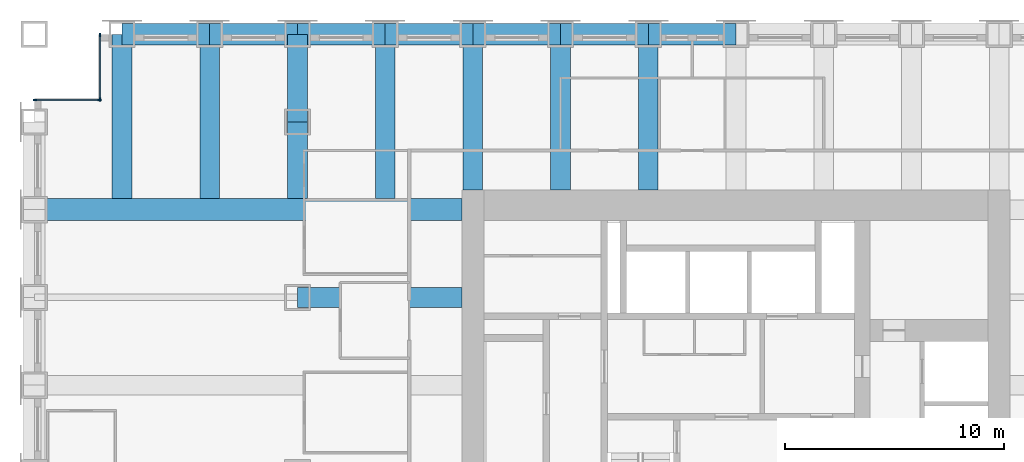
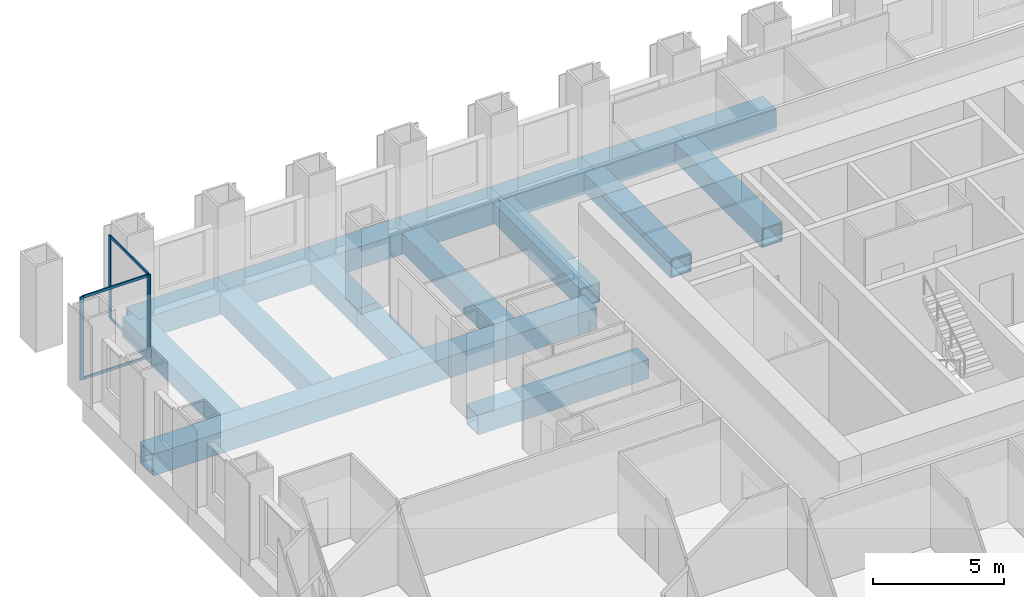
# One storey, part 6 of 15: 17 beams, 8 members, 2 elements without a shape of their own.
"""IFC4 building model written with IfcOpenShell, lengths in metres."""

from ifc_helpers import new_model, si_unit, direction, frame, origin, origin_2d, place, context, subcontext, project, spatial, rectangle, hollow_rectangle, extrude, material, material_profile, profile_set, type_object, element, aggregate, save


model = new_model("IFC4")

# Units and contexts
model_context = context("Model", 3, precision=1e-05, world=origin(), true_north=direction((0.0, 1.0)))
body_context = subcontext(model_context, "Body", "Model", "MODEL_VIEW")
ifc_project = project(units=[si_unit("LENGTHUNIT", "METRE"), si_unit("AREAUNIT", "SQUARE_METRE"), si_unit("VOLUMEUNIT", "CUBIC_METRE"), si_unit("PLANEANGLEUNIT", "RADIAN"), si_unit("MASSUNIT", "GRAM", prefix="KILO")], contexts=[model_context])

# Site, building, storey
site_placement = place(None, origin())
site = spatial("IfcSite", under=ifc_project, at=site_placement, CompositionType="ELEMENT")
building_placement = place(site_placement, origin())
building = spatial("IfcBuilding", under=site, at=building_placement, Name="Rimbunsela Tower", CompositionType="ELEMENT")
storey_placement = place(building_placement, frame((0.0, 0.0, 35.0)))
storey = spatial("IfcBuildingStorey", under=building, at=storey_placement, Name="L08", CompositionType="ELEMENT", Elevation=35.0)

# Beams
ifc_material_1 = material(Name="Steel BJ 55 (fy 410 MPa)", Category="steel")
ifc_material_profile_1 = material_profile(ifc_material_1, hollow_rectangle(XDim=1.0, YDim=1.0, WallThickness=0.10009765625, at=origin_2d()), Name="BOX 1000x1000x100")
ifc_profile_set_1 = profile_set([ifc_material_profile_1], Name="Steel BJ 55 (fy 410 MPa)")
beam_type_1 = type_object("IfcBeamType", Name="Beam BOX 1000x1000x100", PredefinedType="BEAM", material=ifc_profile_set_1)
beam_1_placement = place(storey_placement, frame((-2.0, 36.0, -0.64990234375), z_axis=(1.0, 0.0, 0.0), x_axis=(0.0, 1.0, 0.0)))
element("IfcBeam", 1, at=beam_1_placement, inside=storey, type_object=beam_type_1, Name="Beam B3 L08", PredefinedType="BEAM", context=body_context, shape_type="SweptSolid", body=[
    extrude(hollow_rectangle(XDim=1.0, YDim=1.0, WallThickness=0.10009765625, at=origin_2d()), origin(), (0.0, 0.0, 1.0), 19.5),
])
for number, where, z_axis, x_axis, name in (
    (2, (2.0, 44.0, -0.64990234375), (1.0, 0.0, 0.0), (0.0, 1.0, 0.0), "Beam B3 L08"),
    (3, (6.0, 44.0, -0.64990234375), (1.0, 0.0, 0.0), (0.0, 1.0, 0.0), "Beam B3 L08"),
    (4, (10.0, 44.0, -0.64990234375), (1.0, 0.0, 0.0), (0.0, 1.0, 0.0), "Beam B3 L08"),
    (5, (14.0, 44.0, -0.64990234375), (1.0, 0.0, 0.0), (0.0, 1.0, 0.0), "Beam B3 L08"),
    (6, (18.0, 44.0, -0.64990234375), (1.0, 0.0, 0.0), (0.0, 1.0, 0.0), "Beam B3 L08"),
    (7, (22.0, 44.0, -0.64990234375), (1.0, 0.0, 0.0), (0.0, 1.0, 0.0), "Beam B3 L08"),
    (8, (26.0, 44.0, -0.64990234375), (1.0, 0.0, 0.0), (0.0, 1.0, 0.0), "Beam B3 L08"),
):
    element("IfcBeam", number, at=place(storey_placement, frame(where, z_axis=z_axis, x_axis=x_axis)), inside=storey, type_object=beam_type_1, Name=name, PredefinedType="BEAM", context=body_context, shape_type="SweptSolid", body=[
        extrude(hollow_rectangle(XDim=1.0, YDim=1.0, WallThickness=0.10009765625, at=origin_2d()), origin(), (0.0, 0.0, 1.0), 4.0),
    ])
ifc_material_2 = material(Name="Steel BJ 55 (fy 410 MPa)", Category="steel")
ifc_material_profile_2 = material_profile(ifc_material_2, hollow_rectangle(XDim=0.89990234375, YDim=0.89990234375, WallThickness=0.06005859375, at=origin_2d()), Name="BOX 900x900x60")
ifc_profile_set_2 = profile_set([ifc_material_profile_2], Name="Steel BJ 55 (fy 410 MPa)")
beam_type_2 = type_object("IfcBeamType", Name="Beam BOX 900x900x60", PredefinedType="BEAM", material=ifc_profile_set_2)
for number, where, z_axis, x_axis, name in (
    (9, (2.0, 36.5, -0.60009765625), (0.0, 1.0, 0.0), (-1.0, 0.0, 0.0), "Beam B1 L08"),
    (10, (6.0, 36.5, -0.60009765625), (0.0, 1.0, 0.0), (-1.0, 0.0, 0.0), "Beam B1 L08"),
    (11, (10.0, 32.0, -0.60009765625), (1.0, 0.0, 0.0), (0.0, 1.0, 0.0), "Beam B1 L08"),
):
    element("IfcBeam", number, at=place(storey_placement, frame(where, z_axis=z_axis, x_axis=x_axis)), inside=storey, type_object=beam_type_2, Name=name, PredefinedType="BEAM", context=body_context, shape_type="SweptSolid", body=[
        extrude(hollow_rectangle(XDim=0.89990234375, YDim=0.89990234375, WallThickness=0.06005859375, at=origin_2d()), origin(), (0.0, 0.0, 1.0), 7.5),
    ])
beam_2_placement = place(storey_placement, frame((10.0, 36.5, -0.60009765625), z_axis=(0.0, 1.0, 0.0), x_axis=(-1.0, 0.0, 0.0)))
element("IfcBeam", 12, at=beam_2_placement, inside=storey, type_object=beam_type_2, Name="Beam B1 L08", PredefinedType="BEAM", context=body_context, shape_type="SweptSolid", body=[
    extrude(hollow_rectangle(XDim=0.89990234375, YDim=0.89990234375, WallThickness=0.06005859375, at=origin_2d()), origin(), (0.0, 0.0, 1.0), 3.5),
])
beam_3_placement = place(storey_placement, frame((10.0, 40.0, -0.60009765625), z_axis=(0.0, 1.0, 0.0), x_axis=(-1.0, 0.0, 0.0)))
element("IfcBeam", 13, at=beam_3_placement, inside=storey, type_object=beam_type_2, Name="Beam B1 L08", PredefinedType="BEAM", context=body_context, shape_type="SweptSolid", body=[
    extrude(hollow_rectangle(XDim=0.89990234375, YDim=0.89990234375, WallThickness=0.06005859375, at=origin_2d()), origin(), (0.0, 0.0, 1.0), 4.0),
])
beam_4_placement = place(storey_placement, frame((14.0, 36.5, -0.60009765625), z_axis=(0.0, 1.0, 0.0), x_axis=(-1.0, 0.0, 0.0)))
element("IfcBeam", 14, at=beam_4_placement, inside=storey, type_object=beam_type_2, Name="Beam B1 L08", PredefinedType="BEAM", context=body_context, shape_type="SweptSolid", body=[
    extrude(hollow_rectangle(XDim=0.89990234375, YDim=0.89990234375, WallThickness=0.06005859375, at=origin_2d()), origin(), (0.0, 0.0, 1.0), 7.5),
])
for number, where, z_axis, x_axis, name in (
    (15, (18.0, 36.89990234375, -0.60009765625), (0.0, 1.0, 0.0), (-1.0, 0.0, 0.0), "Beam B1 L08"),
    (16, (22.0, 36.89990234375, -0.60009765625), (0.0, 1.0, 0.0), (-1.0, 0.0, 0.0), "Beam B1 L08"),
    (17, (26.0, 36.89990234375, -0.60009765625), (0.0, 1.0, 0.0), (-1.0, 0.0, 0.0), "Beam B1 L08"),
):
    element("IfcBeam", number, at=place(storey_placement, frame(where, z_axis=z_axis, x_axis=x_axis)), inside=storey, type_object=beam_type_2, Name=name, PredefinedType="BEAM", context=body_context, shape_type="SweptSolid", body=[
        extrude(hollow_rectangle(XDim=0.89990234375, YDim=0.89990234375, WallThickness=0.06005859375, at=origin_2d()), origin(), (0.0, 0.0, 1.0), 7.10009765625),
    ])

# Curtain wall, members
ifc_material_3 = material(Name="Aluminium curtain wall", Category="aluminium")
curtain_wall_type = type_object("IfcCurtainWallType", Name="Corner glazing", PredefinedType="USERDEFINED", material=ifc_material_3)
curtain_wall_1_placement = place(storey_placement, origin())
curtain_wall_1 = element("IfcCurtainWall", 18, at=curtain_wall_1_placement, inside=storey, type_object=curtain_wall_type, Name="Corner glazing L08", ObjectType="CORNER GLAZING", PredefinedType="USERDEFINED")
ifc_material_4 = material(Name="Aluminium mullion", Category="aluminium")
ifc_material_profile_3 = material_profile(ifc_material_4, rectangle(XDim=0.06005859375, YDim=0.159912109375, at=origin_2d()), Name="Mullion 60x160")
ifc_profile_set_3 = profile_set([ifc_material_profile_3], Name="Aluminium mullion")
member_type_1 = type_object("IfcMemberType", Name="Curtain wall mullion 60x160", PredefinedType="MULLION", material=ifc_profile_set_3)
member_1_placement = place(storey_placement, frame((1.0, 43.969970703125, 0.0), z_axis=(0.0, 0.0, 1.0), x_axis=(1.0, 0.0, 0.0)))
member_1 = element("IfcMember", 19, at=member_1_placement, type_object=member_type_1, Name="CW5 mullion 1", PredefinedType="MULLION", context=body_context, shape_type="SweptSolid", body=[
    extrude(rectangle(XDim=0.06005859375, YDim=0.159912109375, at=origin_2d()), origin(), (0.0, 0.0, 1.0), 3.85009765625),
])
member_2_placement = place(storey_placement, frame((1.0, 41.030029296875, 0.0), z_axis=(0.0, 0.0, 1.0), x_axis=(1.0, 0.0, 0.0)))
member_2 = element("IfcMember", 20, at=member_2_placement, type_object=member_type_1, Name="CW5 mullion 2", PredefinedType="MULLION", context=body_context, shape_type="SweptSolid", body=[
    extrude(rectangle(XDim=0.06005859375, YDim=0.159912109375, at=origin_2d()), origin(), (0.0, 0.0, 1.0), 3.85009765625),
])

curtain_wall_2_placement = place(storey_placement, origin())
curtain_wall_2 = element("IfcCurtainWall", 21, at=curtain_wall_2_placement, inside=storey, type_object=curtain_wall_type, Name="Corner glazing L08", ObjectType="CORNER GLAZING", PredefinedType="USERDEFINED")
member_3_placement = place(storey_placement, frame((0.969970703125, 41.0, 0.0), z_axis=(0.0, 0.0, 1.0), x_axis=(0.0, -1.0, 0.0)))
member_3 = element("IfcMember", 22, at=member_3_placement, type_object=member_type_1, Name="CW5 mullion 1", PredefinedType="MULLION", context=body_context, shape_type="SweptSolid", body=[
    extrude(rectangle(XDim=0.06005859375, YDim=0.159912109375, at=origin_2d()), origin(), (0.0, 0.0, 1.0), 3.85009765625),
])
member_4_placement = place(storey_placement, frame((-1.969970703125, 41.0, 0.0), z_axis=(0.0, 0.0, 1.0), x_axis=(0.0, -1.0, 0.0)))
member_4 = element("IfcMember", 23, at=member_4_placement, type_object=member_type_1, Name="CW5 mullion 2", PredefinedType="MULLION", context=body_context, shape_type="SweptSolid", body=[
    extrude(rectangle(XDim=0.06005859375, YDim=0.159912109375, at=origin_2d()), origin(), (0.0, 0.0, 1.0), 3.85009765625),
])

# Member
ifc_material_5 = material(Name="Aluminium transom", Category="aluminium")
ifc_material_profile_4 = material_profile(ifc_material_5, rectangle(XDim=0.06005859375, YDim=0.1201171875, at=origin_2d()), Name="Transom 60x120")
ifc_profile_set_4 = profile_set([ifc_material_profile_4], Name="Aluminium transom")
member_type_2 = type_object("IfcMemberType", Name="Curtain wall transom 60x120", PredefinedType="USERDEFINED", material=ifc_profile_set_4)
member_5_placement = place(storey_placement, frame((1.0, 43.93994140625, 0.030029296875), z_axis=(0.0, -1.0, 0.0), x_axis=(1.0, 0.0, 0.0)))
member_5 = element("IfcMember", 24, at=member_5_placement, type_object=member_type_2, Name="CW5 transom 1.1", ObjectType="TRANSOM", PredefinedType="USERDEFINED", context=body_context, shape_type="SweptSolid", body=[
    extrude(rectangle(XDim=0.06005859375, YDim=0.1201171875, at=origin_2d()), origin(), (0.0, 0.0, 1.0), 2.8798828125),
])

member_6_placement = place(storey_placement, frame((1.0, 43.93994140625, 3.820068359375), z_axis=(0.0, -1.0, 0.0), x_axis=(1.0, 0.0, 0.0)))
member_6 = element("IfcMember", 25, at=member_6_placement, type_object=member_type_2, Name="CW5 transom 1.2", ObjectType="TRANSOM", PredefinedType="USERDEFINED", context=body_context, shape_type="SweptSolid", body=[
    extrude(rectangle(XDim=0.06005859375, YDim=0.1201171875, at=origin_2d()), origin(), (0.0, 0.0, 1.0), 2.8798828125),
])

aggregate(curtain_wall_1, [member_1, member_2, member_5, member_6])

member_7_placement = place(storey_placement, frame((0.93994140625, 41.0, 0.030029296875), z_axis=(-1.0, 0.0, 0.0), x_axis=(0.0, -1.0, 0.0)))
member_7 = element("IfcMember", 26, at=member_7_placement, type_object=member_type_2, Name="CW5 transom 1.1", ObjectType="TRANSOM", PredefinedType="USERDEFINED", context=body_context, shape_type="SweptSolid", body=[
    extrude(rectangle(XDim=0.06005859375, YDim=0.1201171875, at=origin_2d()), origin(), (0.0, 0.0, 1.0), 2.8798828125),
])

member_8_placement = place(storey_placement, frame((0.93994140625, 41.0, 3.820068359375), z_axis=(-1.0, 0.0, 0.0), x_axis=(0.0, -1.0, 0.0)))
member_8 = element("IfcMember", 27, at=member_8_placement, type_object=member_type_2, Name="CW5 transom 1.2", ObjectType="TRANSOM", PredefinedType="USERDEFINED", context=body_context, shape_type="SweptSolid", body=[
    extrude(rectangle(XDim=0.06005859375, YDim=0.1201171875, at=origin_2d()), origin(), (0.0, 0.0, 1.0), 2.8798828125),
])

aggregate(curtain_wall_2, [member_3, member_4, member_7, member_8])

save(model, "model.ifc")
